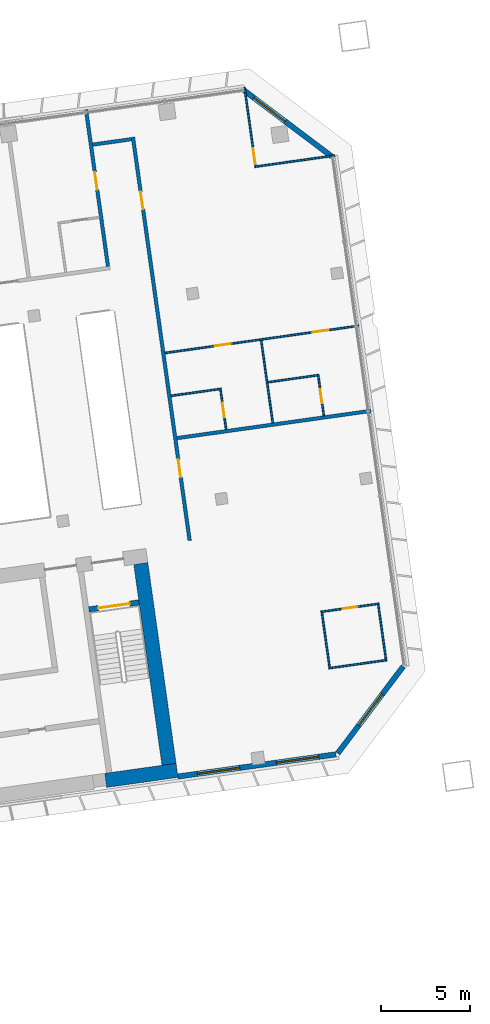
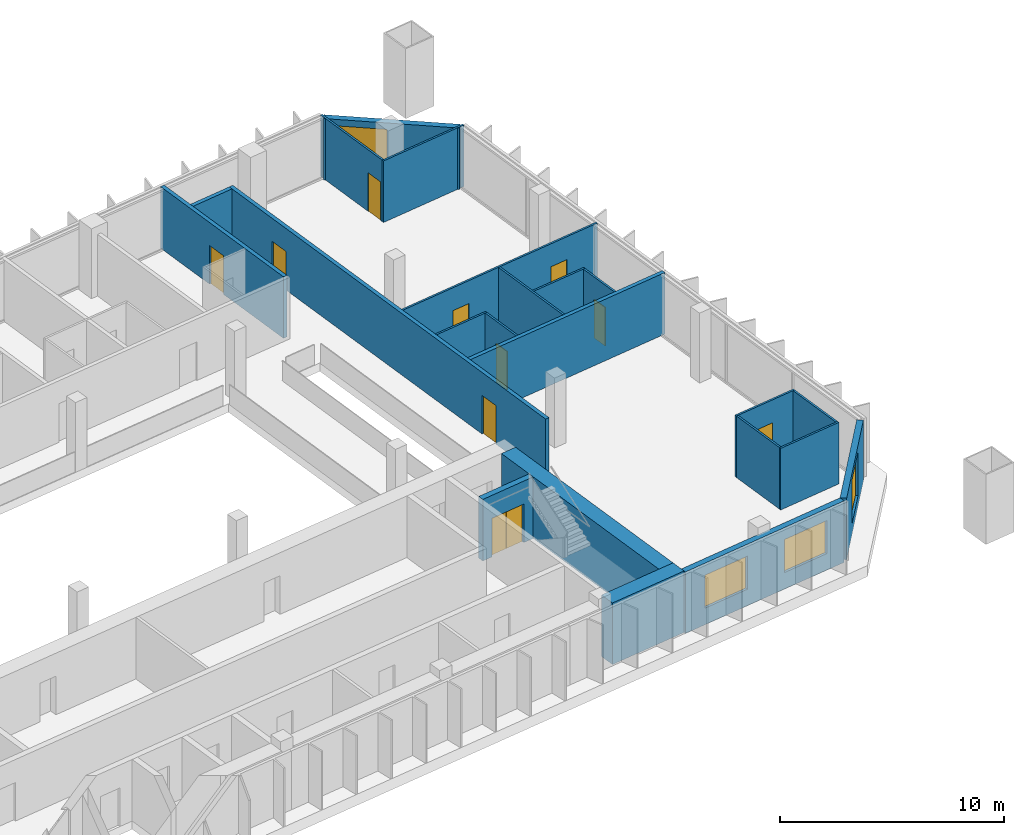
# One storey, part 21 of 25: 22 walls, 10 doors, 4 windows, 14 openings.
"""IFC4 building model written with IfcOpenShell, lengths in metres."""

from ifc_helpers import new_model, si_unit, direction, frame, frame_2d, origin, place, context, subcontext, project, spatial, rectangle, extrude, material, layer, layer_set, type_object, element, fill, save


model = new_model("IFC4")

# Units and contexts
model_context = context("Model", 3, precision=1e-05, world=origin(), true_north=direction((0.0, 1.0)))
body_context = subcontext(model_context, "Body", "Model", "MODEL_VIEW")
ifc_project = project(units=[si_unit("LENGTHUNIT", "METRE"), si_unit("AREAUNIT", "SQUARE_METRE"), si_unit("VOLUMEUNIT", "CUBIC_METRE"), si_unit("PLANEANGLEUNIT", "RADIAN"), si_unit("MASSUNIT", "GRAM", prefix="KILO")], contexts=[model_context])

# Site, building, storey
site_placement = place(None, origin())
site = spatial("IfcSite", under=ifc_project, at=site_placement, CompositionType="ELEMENT")
building_placement = place(site_placement, origin())
building = spatial("IfcBuilding", under=site, at=building_placement, Name="Mirante Cascada Hotel Towers", CompositionType="ELEMENT")
storey_placement = place(building_placement, frame((0.0, 0.0, 136.7)))
storey = spatial("IfcBuildingStorey", under=building, at=storey_placement, Name="L31", CompositionType="ELEMENT", Elevation=136.7)

# Walls
ifc_material_1 = material(Name="Fire-rated plasterboard on metal studs")
ifc_layer_1 = layer(ifc_material_1, 0.2)
ifc_layer_set_1 = layer_set([ifc_layer_1], Name="Compartment wall 200 EI 120")
wall_type_1 = type_object("IfcWallType", Name="Compartment wall 200 EI 120", PredefinedType="PARTITIONING", material=ifc_layer_set_1)
wall_1_placement = place(storey_placement, frame((101.2993, 8.0205, 0.0), z_axis=(0.0, 0.0, 1.0), x_axis=(-0.990268, -0.1391733, 0.0)))
element("IfcWall", 1, at=wall_1_placement, inside=storey, type_object=wall_type_1, Name="Wall 2-L31-05", PredefinedType="PARTITIONING", context=body_context, shape_type="SweptSolid", body=[
    extrude(rectangle(XDim=11.0, YDim=0.2, at=frame_2d((5.5, 0.0))), origin(), (0.0, 0.0, 1.0), 3.35),
])
wall_2_placement = place(storey_placement, frame((87.8424, 23.2963, 0.0), z_axis=(0.0, 0.0, 1.0), x_axis=(-0.990267, -0.139181, 0.0)))
element("IfcWall", 2, at=wall_2_placement, inside=storey, type_object=wall_type_1, Name="Wall 2-L31-21", PredefinedType="PARTITIONING", context=body_context, shape_type="SweptSolid", body=[
    extrude(rectangle(XDim=2.2, YDim=0.2, at=frame_2d((1.1, 0.0))), origin(), (0.0, 0.0, 1.0), 3.35),
])

# Wall, opening, door
wall_3_placement = place(storey_placement, frame((85.2864, 24.9567, 0.0), z_axis=(0.0, 0.0, 1.0), x_axis=(0.1391684, -0.9902687, 0.0)))
wall_3 = element("IfcWall", 3, at=wall_3_placement, inside=storey, type_object=wall_type_1, Name="Wall 2-L31-45", PredefinedType="PARTITIONING", context=body_context, shape_type="SweptSolid", body=[
    extrude(rectangle(XDim=8.9, YDim=0.2, at=frame_2d((4.45, 0.0))), origin(), (0.0, 0.0, 1.0), 3.35),
])
opening_1_placement = place(wall_3_placement, frame((3.55, 0.0, 0.0)))
opening_1 = element("IfcOpeningElement", 4, at=opening_1_placement, cuts=wall_3, Name="Opening D2-L31-26", PredefinedType="OPENING", context=body_context, shape_type="SweptSolid", body=[
    extrude(rectangle(XDim=1.0, YDim=2.1, at=frame_2d((0.5, 1.05))), frame((0.0, 0.1, 0.0), z_axis=(0.0, -1.0, 0.0), x_axis=(1.0, 0.0, 0.0)), (0.0, 0.0, 1.0), 0.2),
])
ifc_material_2 = material(Name="Fire-rated timber door leaf", Category="wood")
door_type_1 = type_object("IfcDoorType", Name="Entrance door DG1 1000x2100 EI 60", OperationType="SINGLE_SWING_LEFT", PredefinedType="DOOR", material=ifc_material_2)
door_1_placement = place(opening_1_placement, frame((1.0, 0.0, 0.0), z_axis=(0.0, 0.0, 1.0), x_axis=(-1.0, 0.0, 0.0)))
door_1 = element("IfcDoor", 5, at=door_1_placement, inside=storey, type_object=door_type_1, Name="Door D2-L31-26", OperationType="SINGLE_SWING_RIGHT", OverallHeight=2.1, OverallWidth=1.0, PredefinedType="DOOR", context=body_context, shape_type="SweptSolid", body=[
    extrude(rectangle(XDim=1.0, YDim=2.1, at=frame_2d((0.5, 1.05))), frame((0.0, 0.025, 0.0), z_axis=(0.0, -1.0, 0.0), x_axis=(1.0, 0.0, 0.0)), (0.0, 0.0, 1.0), 0.05),
])
fill(opening_1, door_1)

# Wall, openings, doors
wall_4_placement = place(storey_placement, frame((91.1145, 0.7321, 0.0), z_axis=(0.0, 0.0, 1.0), x_axis=(-0.1391706, 0.9902684, 0.0)))
wall_4 = element("IfcWall", 6, at=wall_4_placement, inside=storey, type_object=wall_type_1, Name="Wall 2-L31-46", PredefinedType="PARTITIONING", context=body_context, shape_type="SweptSolid", body=[
    extrude(rectangle(XDim=22.9, YDim=0.2, at=frame_2d((11.45, 0.0))), origin(), (0.0, 0.0, 1.0), 3.35),
])
opening_2_placement = place(wall_4_placement, frame((3.6, 0.0, 0.0)))
opening_2 = element("IfcOpeningElement", 7, at=opening_2_placement, cuts=wall_4, Name="Opening D2-L31-27", PredefinedType="OPENING", context=body_context, shape_type="SweptSolid", body=[
    extrude(rectangle(XDim=1.0, YDim=2.1, at=frame_2d((0.5, 1.05))), frame((0.0, 0.1, 0.0), z_axis=(0.0, -1.0, 0.0), x_axis=(1.0, 0.0, 0.0)), (0.0, 0.0, 1.0), 0.2),
])
opening_3_placement = place(wall_4_placement, frame((18.8, 0.0, 0.0)))
opening_3 = element("IfcOpeningElement", 8, at=opening_3_placement, cuts=wall_4, Name="Opening D2-L31-28", PredefinedType="OPENING", context=body_context, shape_type="SweptSolid", body=[
    extrude(rectangle(XDim=1.0, YDim=2.1, at=frame_2d((0.5, 1.05))), frame((0.0, 0.1, 0.0), z_axis=(0.0, -1.0, 0.0), x_axis=(1.0, 0.0, 0.0)), (0.0, 0.0, 1.0), 0.2),
])
door_2_placement = place(opening_2_placement, frame((1.0, 0.0, 0.0), z_axis=(0.0, 0.0, 1.0), x_axis=(-1.0, 0.0, 0.0)))
door_2 = element("IfcDoor", 9, at=door_2_placement, inside=storey, type_object=door_type_1, Name="Door D2-L31-27", OperationType="SINGLE_SWING_RIGHT", OverallHeight=2.1, OverallWidth=1.0, PredefinedType="DOOR", context=body_context, shape_type="SweptSolid", body=[
    extrude(rectangle(XDim=1.0, YDim=2.1, at=frame_2d((0.5, 1.05))), frame((0.0, 0.025, 0.0), z_axis=(0.0, -1.0, 0.0), x_axis=(1.0, 0.0, 0.0)), (0.0, 0.0, 1.0), 0.05),
])
fill(opening_2, door_2)
door_3_placement = place(opening_3_placement, frame((1.0, 0.0, 0.0), z_axis=(0.0, 0.0, 1.0), x_axis=(-1.0, 0.0, 0.0)))
door_3 = element("IfcDoor", 10, at=door_3_placement, inside=storey, type_object=door_type_1, Name="Door D2-L31-28", OperationType="SINGLE_SWING_RIGHT", OverallHeight=2.1, OverallWidth=1.0, PredefinedType="DOOR", context=body_context, shape_type="SweptSolid", body=[
    extrude(rectangle(XDim=1.0, YDim=2.1, at=frame_2d((0.5, 1.05))), frame((0.0, 0.025, 0.0), z_axis=(0.0, -1.0, 0.0), x_axis=(1.0, 0.0, 0.0)), (0.0, 0.0, 1.0), 0.05),
])
fill(opening_3, door_3)

# Wall
ifc_material_3 = material(Name="Plasterboard on metal studs")
ifc_layer_2 = layer(ifc_material_3, 0.1)
ifc_layer_set_2 = layer_set([ifc_layer_2], Name="Partition 100")
wall_type_2 = type_object("IfcWallType", Name="Partition 100", PredefinedType="PARTITIONING", material=ifc_layer_set_2)
wall_5_placement = place(storey_placement, frame((102.2079, -5.9894, 0.0), z_axis=(0.0, 0.0, 1.0), x_axis=(-0.9902664, -0.1391852, 0.0)))
element("IfcWall", 11, at=wall_5_placement, inside=storey, type_object=wall_type_2, Name="Wall 2-L31-01", PredefinedType="PARTITIONING", context=body_context, shape_type="SweptSolid", body=[
    extrude(rectangle(XDim=3.2999, YDim=0.1, at=frame_2d((1.65, 0.0))), origin(), (0.0, 0.0, 1.0), 3.35),
])

# Wall, opening, door
wall_6_placement = place(storey_placement, frame((98.4947, -3.2798, 0.0), z_axis=(0.0, 0.0, 1.0), x_axis=(0.9902711, 0.1391513, 0.0)))
wall_6 = element("IfcWall", 12, at=wall_6_placement, inside=storey, type_object=wall_type_2, Name="Wall 2-L31-02", PredefinedType="PARTITIONING", context=body_context, shape_type="SweptSolid", body=[
    extrude(rectangle(XDim=3.3, YDim=0.1, at=frame_2d((1.65, 0.0))), origin(), (0.0, 0.0, 1.0), 3.35),
])
opening_4_placement = place(wall_6_placement, frame((1.25, 0.0, 0.0)))
opening_4 = element("IfcOpeningElement", 13, at=opening_4_placement, cuts=wall_6, Name="Opening D2-L31-01", PredefinedType="OPENING", context=body_context, shape_type="SweptSolid", body=[
    extrude(rectangle(XDim=0.8, YDim=2.1, at=frame_2d((0.4, 1.05))), frame((0.0, 0.05, 0.0), z_axis=(0.0, -1.0, 0.0), x_axis=(1.0, 0.0, 0.0)), (0.0, 0.0, 1.0), 0.1),
])
ifc_material_4 = material(Name="Timber door leaf", Category="wood")
door_type_2 = type_object("IfcDoorType", Name="Bathroom door DG4 800x2100", OperationType="SINGLE_SWING_LEFT", PredefinedType="DOOR", material=ifc_material_4)
door_4_placement = place(opening_4_placement, origin())
door_4 = element("IfcDoor", 14, at=door_4_placement, inside=storey, type_object=door_type_2, Name="Door D2-L31-01", OperationType="SINGLE_SWING_LEFT", OverallHeight=2.1, OverallWidth=0.8, PredefinedType="DOOR", context=body_context, shape_type="SweptSolid", body=[
    extrude(rectangle(XDim=0.8, YDim=2.1, at=frame_2d((0.4, 1.05))), frame((0.0, 0.025, 0.0), z_axis=(0.0, -1.0, 0.0), x_axis=(1.0, 0.0, 0.0)), (0.0, 0.0, 1.0), 0.05),
])
fill(opening_4, door_4)

# Walls
wall_7_placement = place(storey_placement, frame((92.8946, 9.2628, 0.0), z_axis=(0.0, 0.0, 1.0), x_axis=(-0.9902704, -0.1391564, 0.0)))
element("IfcWall", 15, at=wall_7_placement, inside=storey, type_object=wall_type_2, Name="Wall 2-L31-07", PredefinedType="PARTITIONING", context=body_context, shape_type="SweptSolid", body=[
    extrude(rectangle(XDim=2.85, YDim=0.1, at=frame_2d((1.425, 0.0))), origin(), (0.0, 0.0, 1.0), 3.35),
])
wall_8_placement = place(storey_placement, frame((95.5188, 9.6317, 0.0), z_axis=(0.0, 0.0, 1.0), x_axis=(0.9902683, 0.1391714, 0.0)))
element("IfcWall", 16, at=wall_8_placement, inside=storey, type_object=wall_type_2, Name="Wall 2-L31-08", PredefinedType="PARTITIONING", context=body_context, shape_type="SweptSolid", body=[
    extrude(rectangle(XDim=2.9, YDim=0.1, at=frame_2d((1.45, 0.0))), origin(), (0.0, 0.0, 1.0), 3.35),
])

# Wall, openings, doors
wall_9_placement = place(storey_placement, frame((89.7337, 11.2758, 0.0), z_axis=(0.0, 0.0, 1.0), x_axis=(0.990268, 0.1391733, 0.0)))
wall_9 = element("IfcWall", 17, at=wall_9_placement, inside=storey, type_object=wall_type_2, Name="Wall 2-L31-10", PredefinedType="PARTITIONING", context=body_context, shape_type="SweptSolid", body=[
    extrude(rectangle(XDim=11.0, YDim=0.1, at=frame_2d((5.5, 0.0))), origin(), (0.0, 0.0, 1.0), 3.35),
])
opening_5_placement = place(wall_9_placement, frame((2.825, 0.0, 0.0)))
opening_5 = element("IfcOpeningElement", 18, at=opening_5_placement, cuts=wall_9, Name="Opening D2-L31-02", PredefinedType="OPENING", context=body_context, shape_type="SweptSolid", body=[
    extrude(rectangle(XDim=0.9, YDim=2.1, at=frame_2d((0.45, 1.05))), frame((0.0, 0.05, 0.0), z_axis=(0.0, -1.0, 0.0), x_axis=(1.0, 0.0, 0.0)), (0.0, 0.0, 1.0), 0.1),
])
opening_6_placement = place(wall_9_placement, frame((8.375, 0.0, 0.0)))
opening_6 = element("IfcOpeningElement", 19, at=opening_6_placement, cuts=wall_9, Name="Opening D2-L31-03", PredefinedType="OPENING", context=body_context, shape_type="SweptSolid", body=[
    extrude(rectangle(XDim=0.9, YDim=2.1, at=frame_2d((0.45, 1.05))), frame((0.0, 0.05, 0.0), z_axis=(0.0, -1.0, 0.0), x_axis=(1.0, 0.0, 0.0)), (0.0, 0.0, 1.0), 0.1),
])
ifc_material_5 = material(Name="Timber door leaf", Category="wood")
door_type_3 = type_object("IfcDoorType", Name="Room door DG3 900x2100", OperationType="SINGLE_SWING_LEFT", PredefinedType="DOOR", material=ifc_material_5)
door_5_placement = place(opening_5_placement, origin())
door_5 = element("IfcDoor", 20, at=door_5_placement, inside=storey, type_object=door_type_3, Name="Door D2-L31-02", OperationType="SINGLE_SWING_LEFT", OverallHeight=2.1, OverallWidth=0.9, PredefinedType="DOOR", context=body_context, shape_type="SweptSolid", body=[
    extrude(rectangle(XDim=0.9, YDim=2.1, at=frame_2d((0.45, 1.05))), frame((0.0, 0.025, 0.0), z_axis=(0.0, -1.0, 0.0), x_axis=(1.0, 0.0, 0.0)), (0.0, 0.0, 1.0), 0.05),
])
fill(opening_5, door_5)
door_6_placement = place(opening_6_placement, origin())
door_6 = element("IfcDoor", 21, at=door_6_placement, inside=storey, type_object=door_type_3, Name="Door D2-L31-03", OperationType="SINGLE_SWING_LEFT", OverallHeight=2.1, OverallWidth=0.9, PredefinedType="DOOR", context=body_context, shape_type="SweptSolid", body=[
    extrude(rectangle(XDim=0.9, YDim=2.1, at=frame_2d((0.45, 1.05))), frame((0.0, 0.025, 0.0), z_axis=(0.0, -1.0, 0.0), x_axis=(1.0, 0.0, 0.0)), (0.0, 0.0, 1.0), 0.05),
])
fill(opening_6, door_6)

# Wall
wall_10_placement = place(storey_placement, frame((99.2813, 22.3794, 0.0), z_axis=(0.0, 0.0, 1.0), x_axis=(-0.9902661, -0.1391871, 0.0)))
element("IfcWall", 22, at=wall_10_placement, inside=storey, type_object=wall_type_2, Name="Wall 2-L31-19", PredefinedType="PARTITIONING", context=body_context, shape_type="SweptSolid", body=[
    extrude(rectangle(XDim=4.55, YDim=0.1, at=frame_2d((2.275, 0.0))), origin(), (0.0, 0.0, 1.0), 3.35),
])

# Wall, opening, door
wall_11_placement = place(storey_placement, frame((92.852, 9.2064, 0.0), z_axis=(0.0, 0.0, 1.0), x_axis=(0.1391997, -0.9902643, 0.0)))
wall_11 = element("IfcWall", 23, at=wall_11_placement, inside=storey, type_object=wall_type_2, Name="Wall 2-L31-47", PredefinedType="PARTITIONING", context=body_context, shape_type="SweptSolid", body=[
    extrude(rectangle(XDim=2.25, YDim=0.1, at=frame_2d((1.125, 0.0))), origin(), (0.0, 0.0, 1.0), 3.35),
])
opening_7_placement = place(wall_11_placement, frame((0.75, 0.0, 0.0)))
opening_7 = element("IfcOpeningElement", 24, at=opening_7_placement, cuts=wall_11, Name="Opening D2-L31-29", PredefinedType="OPENING", context=body_context, shape_type="SweptSolid", body=[
    extrude(rectangle(XDim=0.8, YDim=2.1, at=frame_2d((0.4, 1.05))), frame((0.0, 0.05, 0.0), z_axis=(0.0, -1.0, 0.0), x_axis=(1.0, 0.0, 0.0)), (0.0, 0.0, 1.0), 0.1),
])
door_7_placement = place(opening_7_placement, frame((0.8, 0.0, 0.0), z_axis=(0.0, 0.0, 1.0), x_axis=(-1.0, 0.0, 0.0)))
door_7 = element("IfcDoor", 25, at=door_7_placement, inside=storey, type_object=door_type_2, Name="Door D2-L31-29", OperationType="SINGLE_SWING_RIGHT", OverallHeight=2.1, OverallWidth=0.8, PredefinedType="DOOR", context=body_context, shape_type="SweptSolid", body=[
    extrude(rectangle(XDim=0.8, YDim=2.1, at=frame_2d((0.4, 1.05))), frame((0.0, 0.025, 0.0), z_axis=(0.0, -1.0, 0.0), x_axis=(1.0, 0.0, 0.0)), (0.0, 0.0, 1.0), 0.05),
])
fill(opening_7, door_7)

# Wall
wall_12_placement = place(storey_placement, frame((95.7894, 7.3471, 0.0), z_axis=(0.0, 0.0, 1.0), x_axis=(-0.139176, 0.9902677, 0.0)))
element("IfcWall", 26, at=wall_12_placement, inside=storey, type_object=wall_type_2, Name="Wall 2-L31-48", PredefinedType="PARTITIONING", context=body_context, shape_type="SweptSolid", body=[
    extrude(rectangle(XDim=4.6833, YDim=0.1, at=frame_2d((2.3416, 0.0))), origin(), (0.0, 0.0, 1.0), 3.35),
])

# Wall, opening, door
wall_13_placement = place(storey_placement, frame((94.1988, 26.2093, 0.0), z_axis=(0.0, 0.0, 1.0), x_axis=(0.1391684, -0.9902687, 0.0)))
wall_13 = element("IfcWall", 27, at=wall_13_placement, inside=storey, type_object=wall_type_2, Name="Wall 2-L31-49", PredefinedType="PARTITIONING", context=body_context, shape_type="SweptSolid", body=[
    extrude(rectangle(XDim=4.45, YDim=0.1, at=frame_2d((2.225, 0.0))), origin(), (0.0, 0.0, 1.0), 3.35),
])
opening_8_placement = place(wall_13_placement, frame((3.45, 0.0, 0.0)))
opening_8 = element("IfcOpeningElement", 28, at=opening_8_placement, cuts=wall_13, Name="Opening D2-L31-30", PredefinedType="OPENING", context=body_context, shape_type="SweptSolid", body=[
    extrude(rectangle(XDim=0.9, YDim=2.1, at=frame_2d((0.45, 1.05))), frame((0.0, 0.05, 0.0), z_axis=(0.0, -1.0, 0.0), x_axis=(1.0, 0.0, 0.0)), (0.0, 0.0, 1.0), 0.1),
])
door_8_placement = place(opening_8_placement, frame((0.9, 0.0, 0.0), z_axis=(0.0, 0.0, 1.0), x_axis=(-1.0, 0.0, 0.0)))
door_8 = element("IfcDoor", 29, at=door_8_placement, inside=storey, type_object=door_type_3, Name="Door D2-L31-30", OperationType="SINGLE_SWING_RIGHT", OverallHeight=2.1, OverallWidth=0.9, PredefinedType="DOOR", context=body_context, shape_type="SweptSolid", body=[
    extrude(rectangle(XDim=0.9, YDim=2.1, at=frame_2d((0.45, 1.05))), frame((0.0, 0.025, 0.0), z_axis=(0.0, -1.0, 0.0), x_axis=(1.0, 0.0, 0.0)), (0.0, 0.0, 1.0), 0.05),
])
fill(opening_8, door_8)

# Wall
wall_14_placement = place(storey_placement, frame((98.9826, -6.3922, 0.0), z_axis=(0.0, 0.0, 1.0), x_axis=(-0.1391629, 0.9902695, 0.0)))
element("IfcWall", 30, at=wall_14_placement, inside=storey, type_object=wall_type_2, Name="Wall 2-L31-50", PredefinedType="PARTITIONING", context=body_context, shape_type="SweptSolid", body=[
    extrude(rectangle(XDim=3.1, YDim=0.1, at=frame_2d((1.55, 0.0))), origin(), (0.0, 0.0, 1.0), 3.35),
])

# Wall, opening, door
wall_15_placement = place(storey_placement, frame((98.348, 9.9788, 0.0), z_axis=(0.0, 0.0, 1.0), x_axis=(0.1391997, -0.9902643, 0.0)))
wall_15 = element("IfcWall", 31, at=wall_15_placement, inside=storey, type_object=wall_type_2, Name="Wall 2-L31-51", PredefinedType="PARTITIONING", context=body_context, shape_type="SweptSolid", body=[
    extrude(rectangle(XDim=2.25, YDim=0.1, at=frame_2d((1.125, 0.0))), origin(), (0.0, 0.0, 1.0), 3.35),
])
opening_9_placement = place(wall_15_placement, frame((0.75, 0.0, 0.0)))
opening_9 = element("IfcOpeningElement", 32, at=opening_9_placement, cuts=wall_15, Name="Opening D2-L31-31", PredefinedType="OPENING", context=body_context, shape_type="SweptSolid", body=[
    extrude(rectangle(XDim=0.8, YDim=2.1, at=frame_2d((0.4, 1.05))), frame((0.0, 0.05, 0.0), z_axis=(0.0, -1.0, 0.0), x_axis=(1.0, 0.0, 0.0)), (0.0, 0.0, 1.0), 0.1),
])
door_9_placement = place(opening_9_placement, frame((0.8, 0.0, 0.0), z_axis=(0.0, 0.0, 1.0), x_axis=(-1.0, 0.0, 0.0)))
door_9 = element("IfcDoor", 33, at=door_9_placement, inside=storey, type_object=door_type_2, Name="Door D2-L31-31", OperationType="SINGLE_SWING_RIGHT", OverallHeight=2.1, OverallWidth=0.8, PredefinedType="DOOR", context=body_context, shape_type="SweptSolid", body=[
    extrude(rectangle(XDim=0.8, YDim=2.1, at=frame_2d((0.4, 1.05))), frame((0.0, 0.025, 0.0), z_axis=(0.0, -1.0, 0.0), x_axis=(1.0, 0.0, 0.0)), (0.0, 0.0, 1.0), 0.05),
])
fill(opening_9, door_9)

# Wall
wall_16_placement = place(storey_placement, frame((102.1515, -5.9469, 0.0), z_axis=(0.0, 0.0, 1.0), x_axis=(-0.1391901, 0.9902657, 0.0)))
element("IfcWall", 34, at=wall_16_placement, inside=storey, type_object=wall_type_2, Name="Wall 2-L31-52", PredefinedType="PARTITIONING", context=body_context, shape_type="SweptSolid", body=[
    extrude(rectangle(XDim=3.1001, YDim=0.1, at=frame_2d((1.55, 0.0))), origin(), (0.0, 0.0, 1.0), 3.35),
])

# Wall, openings, windows
ifc_material_6 = material(Name="Precast concrete C40/50", Category="concrete")
ifc_layer_3 = layer(ifc_material_6, 0.3)
ifc_layer_set_3 = layer_set([ifc_layer_3], Name="Precast concrete C40/50 cladding wall 300")
wall_type_3 = type_object("IfcWallType", Name="Precast concrete C40/50 cladding wall 300", PredefinedType="STANDARD", material=ifc_layer_set_3)
wall_17_placement = place(storey_placement, frame((90.4551, -12.5388, 0.0), z_axis=(0.0, 0.0, 1.0), x_axis=(0.9902678, 0.1391749, 0.0)))
wall_17 = element("IfcWall", 35, at=wall_17_placement, inside=storey, type_object=wall_type_3, Name="Rear cladding wall T2 L31 1", PredefinedType="STANDARD", context=body_context, shape_type="SweptSolid", body=[
    extrude(rectangle(XDim=8.9758, YDim=0.3, at=frame_2d((4.4879, 0.0))), origin(), (0.0, 0.0, 1.0), 3.35),
])
opening_10_placement = place(wall_17_placement, frame((1.1012, 0.0, 0.9)))
opening_10 = element("IfcOpeningElement", 36, at=opening_10_placement, cuts=wall_17, Name="Opening W2-31-01", PredefinedType="OPENING", context=body_context, shape_type="SweptSolid", body=[
    extrude(rectangle(XDim=2.4, YDim=1.8, at=frame_2d((1.2, 0.9))), frame((0.0, 0.15, 0.0), z_axis=(0.0, -1.0, 0.0), x_axis=(1.0, 0.0, 0.0)), (0.0, 0.0, 1.0), 0.3),
])
opening_11_placement = place(wall_17_placement, frame((5.5923, 0.0, 0.9)))
opening_11 = element("IfcOpeningElement", 37, at=opening_11_placement, cuts=wall_17, Name="Opening W2-31-02", PredefinedType="OPENING", context=body_context, shape_type="SweptSolid", body=[
    extrude(rectangle(XDim=2.4, YDim=1.8, at=frame_2d((1.2, 0.9))), frame((0.0, 0.15, 0.0), z_axis=(0.0, -1.0, 0.0), x_axis=(1.0, 0.0, 0.0)), (0.0, 0.0, 1.0), 0.3),
])
ifc_material_7 = material(Name="Aluminium frame with clear double glazing", Category="aluminium")
window_type_1 = type_object("IfcWindowType", Name="Punched window 2400x1800", PartitioningType="DOUBLE_PANEL_VERTICAL", PredefinedType="WINDOW", material=ifc_material_7)
window_1_placement = place(opening_10_placement, origin())
window_1 = element("IfcWindow", 38, at=window_1_placement, inside=storey, type_object=window_type_1, Name="Window W2-31-01", OverallHeight=1.8, OverallWidth=2.4, PartitioningType="SINGLE_PANEL", PredefinedType="WINDOW", context=body_context, shape_type="SweptSolid", body=[
    extrude(rectangle(XDim=2.4, YDim=1.8, at=frame_2d((1.2, 0.9))), frame((0.0, 0.03, 0.0), z_axis=(0.0, -1.0, 0.0), x_axis=(1.0, 0.0, 0.0)), (0.0, 0.0, 1.0), 0.06),
])
fill(opening_10, window_1)
window_2_placement = place(opening_11_placement, origin())
window_2 = element("IfcWindow", 39, at=window_2_placement, inside=storey, type_object=window_type_1, Name="Window W2-31-02", OverallHeight=1.8, OverallWidth=2.4, PartitioningType="SINGLE_PANEL", PredefinedType="WINDOW", context=body_context, shape_type="SweptSolid", body=[
    extrude(rectangle(XDim=2.4, YDim=1.8, at=frame_2d((1.2, 0.9))), frame((0.0, 0.03, 0.0), z_axis=(0.0, -1.0, 0.0), x_axis=(1.0, 0.0, 0.0)), (0.0, 0.0, 1.0), 0.06),
])
fill(opening_11, window_2)

# Wall, opening, window
wall_18_placement = place(storey_placement, frame((99.4424, -11.2313, 0.0), z_axis=(0.0, 0.0, 1.0), x_axis=(0.6018194, 0.7986322, 0.0)))
wall_18 = element("IfcWall", 40, at=wall_18_placement, inside=storey, type_object=wall_type_3, Name="Corner cladding wall T2 L31 rear outer", PredefinedType="STANDARD", context=body_context, shape_type="SweptSolid", body=[
    extrude(rectangle(XDim=6.1155, YDim=0.3, at=frame_2d((3.0578, 0.0))), origin(), (0.0, 0.0, 1.0), 3.35),
])
opening_12_placement = place(wall_18_placement, frame((1.9576, 0.0, 0.6)))
opening_12 = element("IfcOpeningElement", 41, at=opening_12_placement, cuts=wall_18, Name="Opening W2-31-03", PredefinedType="OPENING", context=body_context, shape_type="SweptSolid", body=[
    extrude(rectangle(XDim=2.2, YDim=2.4, at=frame_2d((1.1, 1.2))), frame((0.0, 0.15, 0.0), z_axis=(0.0, -1.0, 0.0), x_axis=(1.0, 0.0, 0.0)), (0.0, 0.0, 1.0), 0.3),
])
ifc_material_8 = material(Name="Aluminium frame with clear double glazing", Category="aluminium")
window_type_2 = type_object("IfcWindowType", Name="Corner suite window 2200x2400", PartitioningType="DOUBLE_PANEL_VERTICAL", PredefinedType="WINDOW", material=ifc_material_8)
window_3_placement = place(opening_12_placement, origin())
window_3 = element("IfcWindow", 42, at=window_3_placement, inside=storey, type_object=window_type_2, Name="Window W2-31-03", OverallHeight=2.4, OverallWidth=2.2, PartitioningType="SINGLE_PANEL", PredefinedType="WINDOW", context=body_context, shape_type="SweptSolid", body=[
    extrude(rectangle(XDim=2.2, YDim=2.4, at=frame_2d((1.1, 1.2))), frame((0.0, 0.03, 0.0), z_axis=(0.0, -1.0, 0.0), x_axis=(1.0, 0.0, 0.0)), (0.0, 0.0, 1.0), 0.06),
])
fill(opening_12, window_3)

wall_19_placement = place(storey_placement, frame((99.0919, 22.3343, 0.0), z_axis=(0.0, 0.0, 1.0), x_axis=(-0.7986362, 0.6018141, 0.0)))
wall_19 = element("IfcWall", 43, at=wall_19_placement, inside=storey, type_object=wall_type_3, Name="Corner cladding wall T2 L31 outer front", PredefinedType="STANDARD", context=body_context, shape_type="SweptSolid", body=[
    extrude(rectangle(XDim=6.1157, YDim=0.3, at=frame_2d((3.0578, 0.0))), origin(), (0.0, 0.0, 1.0), 3.35),
])
opening_13_placement = place(wall_19_placement, frame((3.2692, 0.0, 0.6)))
opening_13 = element("IfcOpeningElement", 44, at=opening_13_placement, cuts=wall_19, Name="Opening W2-31-04", PredefinedType="OPENING", context=body_context, shape_type="SweptSolid", body=[
    extrude(rectangle(XDim=2.2, YDim=2.4, at=frame_2d((1.1, 1.2))), frame((0.0, 0.15, 0.0), z_axis=(0.0, -1.0, 0.0), x_axis=(1.0, 0.0, 0.0)), (0.0, 0.0, 1.0), 0.3),
])
window_4_placement = place(opening_13_placement, origin())
window_4 = element("IfcWindow", 45, at=window_4_placement, inside=storey, type_object=window_type_2, Name="Window W2-31-04", OverallHeight=2.4, OverallWidth=2.2, PartitioningType="SINGLE_PANEL", PredefinedType="WINDOW", context=body_context, shape_type="SweptSolid", body=[
    extrude(rectangle(XDim=2.2, YDim=2.4, at=frame_2d((1.1, 1.2))), frame((0.0, 0.03, 0.0), z_axis=(0.0, -1.0, 0.0), x_axis=(1.0, 0.0, 0.0)), (0.0, 0.0, 1.0), 0.06),
])
fill(opening_13, window_4)

# Wall, opening, door
ifc_material_9 = material(Name="Concrete C50/60", Category="concrete")
ifc_layer_4 = layer(ifc_material_9, 0.3)
ifc_layer_set_4 = layer_set([ifc_layer_4], Name="RC core wall 300 C50/60")
wall_type_4 = type_object("IfcWallType", Name="RC core wall 300 C50/60", PredefinedType="SHEAR", material=ifc_layer_set_4)
wall_20_placement = place(storey_placement, frame((85.4489, -3.1441, 0.0), z_axis=(0.0, 0.0, 1.0), x_axis=(0.9902697, 0.1391613, 0.0)))
wall_20 = element("IfcWall", 46, at=wall_20_placement, inside=storey, type_object=wall_type_4, Name="Core wall T2:L31:11", PredefinedType="SHEAR", context=body_context, shape_type="SweptSolid", body=[
    extrude(rectangle(XDim=2.8499, YDim=0.3, at=frame_2d((1.425, 0.0))), origin(), (0.0, 0.0, 1.0), 3.35),
])
opening_14_placement = place(wall_20_placement, frame((0.525, 0.0, 0.0)))
opening_14 = element("IfcOpeningElement", 47, at=opening_14_placement, cuts=wall_20, Name="Opening D2-31-C17", PredefinedType="OPENING", context=body_context, shape_type="SweptSolid", body=[
    extrude(rectangle(XDim=1.8, YDim=2.1, at=frame_2d((0.9, 1.05))), frame((0.0, 0.15, 0.0), z_axis=(0.0, -1.0, 0.0), x_axis=(1.0, 0.0, 0.0)), (0.0, 0.0, 1.0), 0.3),
])
ifc_material_10 = material(Name="Hollow metal fire door leaf")
door_type_4 = type_object("IfcDoorType", Name="Double fire door 1800x2100 FD60", OperationType="DOUBLE_DOOR_SINGLE_SWING", PredefinedType="DOOR", material=ifc_material_10)
door_10_placement = place(opening_14_placement, frame((1.8, 0.0, 0.0), z_axis=(0.0, 0.0, 1.0), x_axis=(-1.0, 0.0, 0.0)))
door_10 = element("IfcDoor", 48, at=door_10_placement, inside=storey, type_object=door_type_4, Name="Stair door T2 L31 17", OperationType="DOUBLE_DOOR_SINGLE_SWING", OverallHeight=2.1, OverallWidth=1.8, PredefinedType="DOOR", context=body_context, shape_type="SweptSolid", body=[
    extrude(rectangle(XDim=0.895, YDim=2.1, at=frame_2d((0.4475, 1.05))), frame((0.0, 0.025, 0.0), z_axis=(0.0, -1.0, 0.0), x_axis=(1.0, 0.0, 0.0)), (0.0, 0.0, 1.0), 0.05),
    extrude(rectangle(XDim=0.895, YDim=2.1, at=frame_2d((1.3525, 1.05))), frame((0.0, 0.025, 0.0), z_axis=(0.0, -1.0, 0.0), x_axis=(1.0, 0.0, 0.0)), (0.0, 0.0, 1.0), 0.05),
])
fill(opening_14, door_10)

# Walls
ifc_material_11 = material(Name="Concrete C50/60", Category="concrete")
ifc_layer_5 = layer(ifc_material_11, 0.8)
ifc_layer_set_5 = layer_set([ifc_layer_5], Name="RC core wall 800 C50/60")
wall_type_5 = type_object("IfcWallType", Name="RC core wall 800 C50/60", PredefinedType="SHEAR", material=ifc_layer_set_5)
wall_21_placement = place(storey_placement, frame((86.3958, -12.7559, 0.0), z_axis=(0.0, 0.0, 1.0), x_axis=(0.9902665, 0.1391845, 0.0)))
element("IfcWall", 49, at=wall_21_placement, inside=storey, type_object=wall_type_5, Name="Core wall T2:L31:1.7", PredefinedType="SHEAR", context=body_context, shape_type="SweptSolid", body=[
    extrude(rectangle(XDim=4.05, YDim=0.8, at=frame_2d((2.025, 0.0))), origin(), (0.0, 0.0, 1.0), 3.35),
])
wall_22_placement = place(storey_placement, frame((89.9546, -11.8518, 0.0), z_axis=(0.0, 0.0, 1.0), x_axis=(-0.1391761, 0.9902677, 0.0)))
element("IfcWall", 50, at=wall_22_placement, inside=storey, type_object=wall_type_5, Name="Core wall T2:L31:4", PredefinedType="SHEAR", context=body_context, shape_type="SweptSolid", body=[
    extrude(rectangle(XDim=11.3999, YDim=0.8, at=frame_2d((5.7, 0.0))), origin(), (0.0, 0.0, 1.0), 3.35),
])

save(model, "model.ifc")
